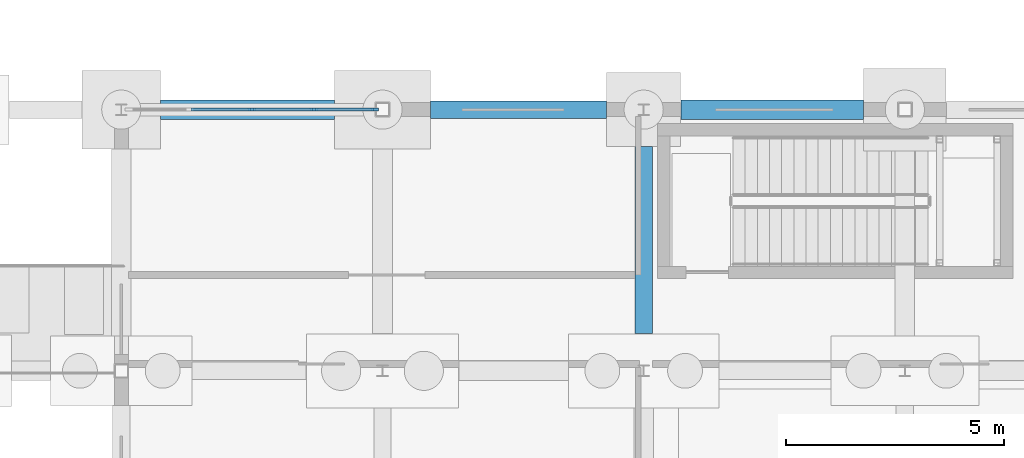
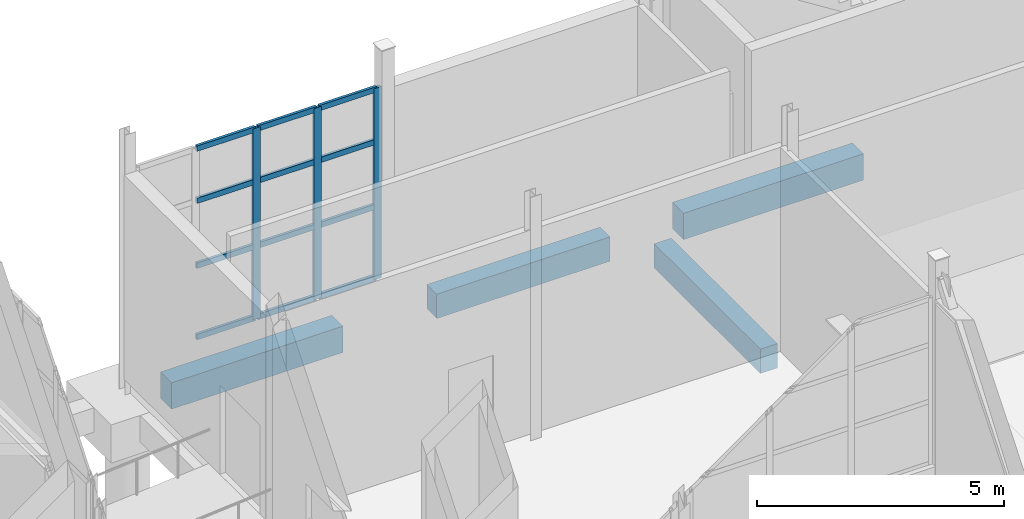
# One storey, part 45 of 120: 15 members, 4 beams, 1 element without a shape of its own.
"""IFC4 building model written with IfcOpenShell, lengths in metres."""

from ifc_helpers import new_model, si_unit, direction, frame, origin, origin_2d, place, context, subcontext, project, spatial, rectangle, extrude, material, material_profile, profile_set, type_object, element, aggregate, save


model = new_model("IFC4")

# Units and contexts
model_context = context("Model", 3, precision=1e-05, world=origin(), true_north=direction((0.0, 1.0)))
body_context = subcontext(model_context, "Body", "Model", "MODEL_VIEW")
ifc_project = project(units=[si_unit("LENGTHUNIT", "METRE"), si_unit("AREAUNIT", "SQUARE_METRE"), si_unit("VOLUMEUNIT", "CUBIC_METRE"), si_unit("PLANEANGLEUNIT", "RADIAN"), si_unit("MASSUNIT", "GRAM", prefix="KILO")], contexts=[model_context])

# Site, building, storey
site_placement = place(None, origin())
site = spatial("IfcSite", under=ifc_project, at=site_placement, CompositionType="ELEMENT")
building_placement = place(site_placement, origin())
building = spatial("IfcBuilding", under=site, at=building_placement, Name="Siltcreek Boulevard Central Fire Station", CompositionType="ELEMENT")
storey_placement = place(building_placement, origin())
storey = spatial("IfcBuildingStorey", under=building, at=storey_placement, Name="L01", CompositionType="ELEMENT", Elevation=0.0)

# Curtain wall, members
ifc_material_1 = material(Name="Anodized aluminum and low-E insulated glazing", Category="aluminium")
curtain_wall_type = type_object("IfcCurtainWallType", Name="CW_SYS_13", PredefinedType="USERDEFINED", material=ifc_material_1)
curtain_wall_placement = place(storey_placement, origin())
curtain_wall = element("IfcCurtainWall", 1, at=curtain_wall_placement, inside=storey, type_object=curtain_wall_type, Name="L01 V6 unitised curtain wall CW-192", ObjectType="CURTAIN WALL", PredefinedType="USERDEFINED")
ifc_material_2 = material(Name="Anodized 6063-T6 aluminum framing", Category="aluminium")
ifc_material_profile_1 = material_profile(ifc_material_2, rectangle(XDim=0.06494140625, YDim=0.175048828125, at=origin_2d()), Name="MULL65X175")
ifc_profile_set_1 = profile_set([ifc_material_profile_1], Name="Anodized 6063-T6 aluminum framing")
member_type_1 = type_object("IfcMemberType", Name="CWM_65X175", PredefinedType="MULLION", material=ifc_profile_set_1)
member_1_placement = place(storey_placement, frame((118.0224609375, 30.0, 0.320068359375), z_axis=(0.0, 0.0, 1.0), x_axis=(0.0, -1.0, 0.0)))
member_1 = element("IfcMember", 2, at=member_1_placement, type_object=member_type_1, Name="CW-192 mullion 1", PredefinedType="MULLION", context=body_context, shape_type="SweptSolid", body=[
    extrude(rectangle(XDim=0.06494140625, YDim=0.175048828125, at=origin_2d()), origin(), (0.0, 0.0, 1.0), 4.71484375),
])
member_2_placement = place(storey_placement, frame((116.62744140625, 30.0, 0.320068359375), z_axis=(0.0, 0.0, 1.0), x_axis=(0.0, -1.0, 0.0)))
member_2 = element("IfcMember", 3, at=member_2_placement, type_object=member_type_1, Name="CW-192 mullion 2", PredefinedType="MULLION", context=body_context, shape_type="SweptSolid", body=[
    extrude(rectangle(XDim=0.06494140625, YDim=0.175048828125, at=origin_2d()), origin(), (0.0, 0.0, 1.0), 4.71484375),
])
member_3_placement = place(storey_placement, frame((115.199951171875, 30.0, 0.320068359375), z_axis=(0.0, 0.0, 1.0), x_axis=(0.0, -1.0, 0.0)))
member_3 = element("IfcMember", 4, at=member_3_placement, type_object=member_type_1, Name="CW-192 mullion 3", PredefinedType="MULLION", context=body_context, shape_type="SweptSolid", body=[
    extrude(rectangle(XDim=0.06494140625, YDim=0.175048828125, at=origin_2d()), origin(), (0.0, 0.0, 1.0), 4.71484375),
])
ifc_material_profile_2 = material_profile(ifc_material_2, rectangle(XDim=0.06494140625, YDim=0.135009765625, at=origin_2d()), Name="TRAN65X135")
ifc_profile_set_2 = profile_set([ifc_material_profile_2], Name="Anodized 6063-T6 aluminum framing")
member_type_2 = type_object("IfcMemberType", Name="CWT_65X135", PredefinedType="USERDEFINED", material=ifc_profile_set_2)
member_4_placement = place(storey_placement, frame((117.989990234375, 30.0, 0.3525390625), z_axis=(-1.0, 0.0, 0.0), x_axis=(0.0, -1.0, 0.0)))
member_4 = element("IfcMember", 5, at=member_4_placement, type_object=member_type_2, Name="CW-192 transom 1.1", ObjectType="TRANSOM", PredefinedType="USERDEFINED", context=body_context, shape_type="SweptSolid", body=[
    extrude(rectangle(XDim=0.06494140625, YDim=0.135009765625, at=origin_2d()), origin(), (0.0, 0.0, 1.0), 1.330078125),
])
member_5_placement = place(storey_placement, frame((117.989990234375, 30.0, 2.11181640625), z_axis=(-1.0, 0.0, 0.0), x_axis=(0.0, -1.0, 0.0)))
member_5 = element("IfcMember", 6, at=member_5_placement, type_object=member_type_2, Name="CW-192 transom 1.2", ObjectType="TRANSOM", PredefinedType="USERDEFINED", context=body_context, shape_type="SweptSolid", body=[
    extrude(rectangle(XDim=0.06494140625, YDim=0.135009765625, at=origin_2d()), origin(), (0.0, 0.0, 1.0), 1.330078125),
])
member_6_placement = place(storey_placement, frame((117.989990234375, 30.0, 3.71484375), z_axis=(-1.0, 0.0, 0.0), x_axis=(0.0, -1.0, 0.0)))
member_6 = element("IfcMember", 7, at=member_6_placement, type_object=member_type_2, Name="CW-192 transom 1.3", ObjectType="TRANSOM", PredefinedType="USERDEFINED", context=body_context, shape_type="SweptSolid", body=[
    extrude(rectangle(XDim=0.06494140625, YDim=0.135009765625, at=origin_2d()), origin(), (0.0, 0.0, 1.0), 1.330078125),
])
member_7_placement = place(storey_placement, frame((117.989990234375, 30.0, 5.00244140625), z_axis=(-1.0, 0.0, 0.0), x_axis=(0.0, -1.0, 0.0)))
member_7 = element("IfcMember", 8, at=member_7_placement, type_object=member_type_2, Name="CW-192 transom 1.4", ObjectType="TRANSOM", PredefinedType="USERDEFINED", context=body_context, shape_type="SweptSolid", body=[
    extrude(rectangle(XDim=0.06494140625, YDim=0.135009765625, at=origin_2d()), origin(), (0.0, 0.0, 1.0), 1.330078125),
])
member_8_placement = place(storey_placement, frame((116.594970703125, 30.0, 0.3525390625), z_axis=(-1.0, 0.0, 0.0), x_axis=(0.0, -1.0, 0.0)))
member_8 = element("IfcMember", 9, at=member_8_placement, type_object=member_type_2, Name="CW-192 transom 2.1", ObjectType="TRANSOM", PredefinedType="USERDEFINED", context=body_context, shape_type="SweptSolid", body=[
    extrude(rectangle(XDim=0.06494140625, YDim=0.135009765625, at=origin_2d()), origin(), (0.0, 0.0, 1.0), 1.362548828125),
])
member_9_placement = place(storey_placement, frame((116.594970703125, 30.0, 2.11181640625), z_axis=(-1.0, 0.0, 0.0), x_axis=(0.0, -1.0, 0.0)))
member_9 = element("IfcMember", 10, at=member_9_placement, type_object=member_type_2, Name="CW-192 transom 2.2", ObjectType="TRANSOM", PredefinedType="USERDEFINED", context=body_context, shape_type="SweptSolid", body=[
    extrude(rectangle(XDim=0.06494140625, YDim=0.135009765625, at=origin_2d()), origin(), (0.0, 0.0, 1.0), 1.362548828125),
])
member_10_placement = place(storey_placement, frame((116.594970703125, 30.0, 3.71484375), z_axis=(-1.0, 0.0, 0.0), x_axis=(0.0, -1.0, 0.0)))
member_10 = element("IfcMember", 11, at=member_10_placement, type_object=member_type_2, Name="CW-192 transom 2.3", ObjectType="TRANSOM", PredefinedType="USERDEFINED", context=body_context, shape_type="SweptSolid", body=[
    extrude(rectangle(XDim=0.06494140625, YDim=0.135009765625, at=origin_2d()), origin(), (0.0, 0.0, 1.0), 1.362548828125),
])
member_11_placement = place(storey_placement, frame((116.594970703125, 30.0, 5.00244140625), z_axis=(-1.0, 0.0, 0.0), x_axis=(0.0, -1.0, 0.0)))
member_11 = element("IfcMember", 12, at=member_11_placement, type_object=member_type_2, Name="CW-192 transom 2.4", ObjectType="TRANSOM", PredefinedType="USERDEFINED", context=body_context, shape_type="SweptSolid", body=[
    extrude(rectangle(XDim=0.06494140625, YDim=0.135009765625, at=origin_2d()), origin(), (0.0, 0.0, 1.0), 1.362548828125),
])
member_12_placement = place(storey_placement, frame((115.16748046875, 30.0, 0.3525390625), z_axis=(-1.0, 0.0, 0.0), x_axis=(0.0, -1.0, 0.0)))
member_12 = element("IfcMember", 13, at=member_12_placement, type_object=member_type_2, Name="CW-192 transom 3.1", ObjectType="TRANSOM", PredefinedType="USERDEFINED", context=body_context, shape_type="SweptSolid", body=[
    extrude(rectangle(XDim=0.06494140625, YDim=0.135009765625, at=origin_2d()), origin(), (0.0, 0.0, 1.0), 1.362548828125),
])
member_13_placement = place(storey_placement, frame((115.16748046875, 30.0, 2.11181640625), z_axis=(-1.0, 0.0, 0.0), x_axis=(0.0, -1.0, 0.0)))
member_13 = element("IfcMember", 14, at=member_13_placement, type_object=member_type_2, Name="CW-192 transom 3.2", ObjectType="TRANSOM", PredefinedType="USERDEFINED", context=body_context, shape_type="SweptSolid", body=[
    extrude(rectangle(XDim=0.06494140625, YDim=0.135009765625, at=origin_2d()), origin(), (0.0, 0.0, 1.0), 1.362548828125),
])
member_14_placement = place(storey_placement, frame((115.16748046875, 30.0, 3.71484375), z_axis=(-1.0, 0.0, 0.0), x_axis=(0.0, -1.0, 0.0)))
member_14 = element("IfcMember", 15, at=member_14_placement, type_object=member_type_2, Name="CW-192 transom 3.3", ObjectType="TRANSOM", PredefinedType="USERDEFINED", context=body_context, shape_type="SweptSolid", body=[
    extrude(rectangle(XDim=0.06494140625, YDim=0.135009765625, at=origin_2d()), origin(), (0.0, 0.0, 1.0), 1.362548828125),
])
member_15_placement = place(storey_placement, frame((115.16748046875, 30.0, 5.00244140625), z_axis=(-1.0, 0.0, 0.0), x_axis=(0.0, -1.0, 0.0)))
member_15 = element("IfcMember", 16, at=member_15_placement, type_object=member_type_2, Name="CW-192 transom 3.4", ObjectType="TRANSOM", PredefinedType="USERDEFINED", context=body_context, shape_type="SweptSolid", body=[
    extrude(rectangle(XDim=0.06494140625, YDim=0.135009765625, at=origin_2d()), origin(), (0.0, 0.0, 1.0), 1.362548828125),
])
aggregate(curtain_wall, [member_1, member_2, member_3, member_4, member_5, member_6, member_7, member_8, member_9, member_10, member_11, member_12, member_13, member_14, member_15])

# Beams
ifc_material_3 = material(Name="Concrete C35/45", Category="concrete")
ifc_material_profile_3 = material_profile(ifc_material_3, rectangle(XDim=0.39990234375, YDim=0.60009765625, at=origin_2d()), Name="RC400X600")
ifc_profile_set_3 = profile_set([ifc_material_profile_3], Name="Concrete C35/45")
beam_type_1 = type_object("IfcBeamType", Name="GB_RC400X600", PredefinedType="USERDEFINED", material=ifc_profile_set_3)
beam_1_placement = place(storey_placement, frame((119.302001953125, 30.0, -0.7099609375), z_axis=(1.0, 0.0, 0.0), x_axis=(0.0, 1.0, 0.0)))
element("IfcBeam", 17, at=beam_1_placement, inside=storey, type_object=beam_type_1, Name="Reinforced concrete tie grade beam GB-073", ObjectType="GRADE BEAM", PredefinedType="USERDEFINED", context=body_context, shape_type="SweptSolid", body=[
    extrude(rectangle(XDim=0.39990234375, YDim=0.60009765625, at=origin_2d()), origin(), (0.0, 0.0, 1.0), 4.0458984375),
])
beam_2_placement = place(storey_placement, frame((124.199951171875, 24.85205078125, -0.7099609375), z_axis=(0.0, 1.0, 0.0), x_axis=(-1.0, 0.0, 0.0)))
element("IfcBeam", 18, at=beam_2_placement, inside=storey, type_object=beam_type_1, Name="Reinforced concrete tie grade beam GB-209", ObjectType="GRADE BEAM", PredefinedType="USERDEFINED", context=body_context, shape_type="SweptSolid", body=[
    extrude(rectangle(XDim=0.39990234375, YDim=0.60009765625, at=origin_2d()), origin(), (0.0, 0.0, 1.0), 4.2958984375),
])
ifc_material_profile_4 = material_profile(ifc_material_3, rectangle(XDim=0.449951171875, YDim=0.64990234375, at=origin_2d()), Name="RC450X650")
ifc_profile_set_4 = profile_set([ifc_material_profile_4], Name="Concrete C35/45")
beam_type_2 = type_object("IfcBeamType", Name="GB_RC450X650", PredefinedType="USERDEFINED", material=ifc_profile_set_4)
beam_3_placement = place(storey_placement, frame((113.10205078125, 30.0, -0.735107421875), z_axis=(1.0, 0.0, 0.0), x_axis=(0.0, 1.0, 0.0)))
element("IfcBeam", 19, at=beam_3_placement, inside=storey, type_object=beam_type_2, Name="Reinforced concrete tie grade beam GB-072", ObjectType="GRADE BEAM", PredefinedType="USERDEFINED", context=body_context, shape_type="SweptSolid", body=[
    extrude(rectangle(XDim=0.449951171875, YDim=0.64990234375, at=origin_2d()), origin(), (0.0, 0.0, 1.0), 3.995849609375),
])
beam_4_placement = place(storey_placement, frame((125.052001953125, 30.0, -0.735107421875), z_axis=(1.0, 0.0, 0.0), x_axis=(0.0, 1.0, 0.0)))
element("IfcBeam", 20, at=beam_4_placement, inside=storey, type_object=beam_type_2, Name="Reinforced concrete tie grade beam GB-074", ObjectType="GRADE BEAM", PredefinedType="USERDEFINED", context=body_context, shape_type="SweptSolid", body=[
    extrude(rectangle(XDim=0.449951171875, YDim=0.64990234375, at=origin_2d()), origin(), (0.0, 0.0, 1.0), 4.196044921875),
])

save(model, "model.ifc")
